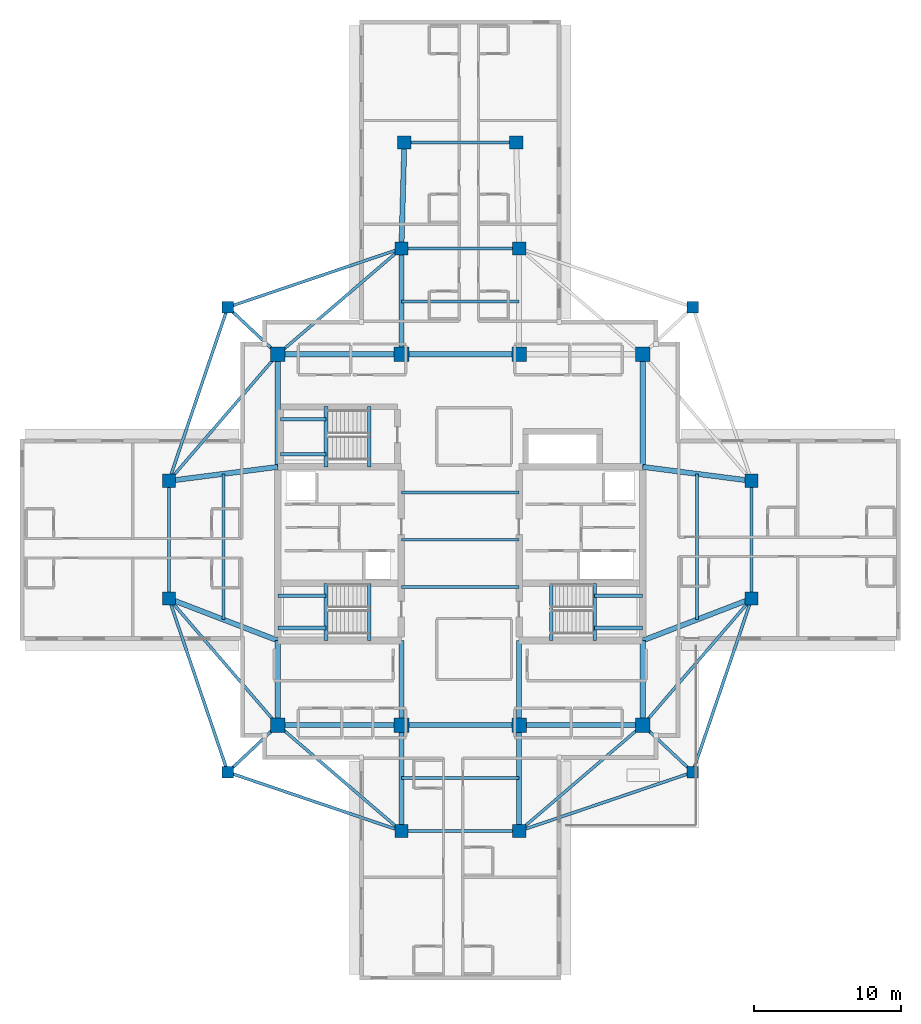
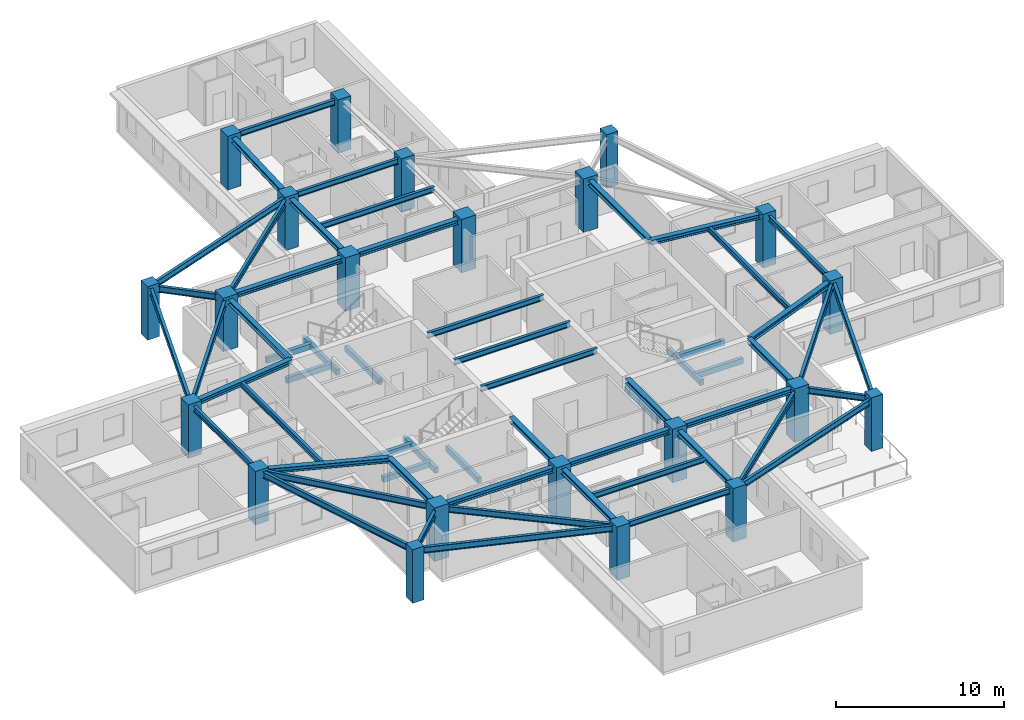
# One storey, part 1 of 13: 58 beams, 22 columns.
"""IFC4 building model written with IfcOpenShell, lengths in metres."""

import ifcopenshell
import ifcopenshell.guid

model = None  # the IFC model being written
_history = None  # IfcOwnerHistory: only IFC2X3 demands one
_inside = {}  # id of a spatial element -> (the spatial element, [elements in it])
_under = {}  # id of a project, library or spatial element -> (it, [spatial elements below it])
_declared = {}  # id of a project -> (the project, [libraries it declares])
_typed = {}  # id of a type object -> (the type object, [elements of that type])
_made_of = {}  # id of a material, layer set ... -> (it, [elements and type objects made of it])


def new_model(schema):
    """Start an empty IFC model of exactly this schema.

    Asked for "IFC4X3", IfcOpenShell would pick the latest addendum, in which some entities
    have other attributes; the version numbers below select the first issue.
    IFC2X3 requires an IfcOwnerHistory on every rooted entity: one is made here for all.
    """
    global model, _history
    if schema == "IFC4X3":
        model = ifcopenshell.file(schema_version=(4, 3, 0, 0))
    else:
        model = ifcopenshell.file(schema=schema)
    _inside.clear()
    _under.clear()
    _declared.clear()
    _typed.clear()
    _made_of.clear()
    _history = None
    if model.schema == "IFC2X3":
        org = make("IfcOrganization", Name="unknown")
        user = make(
            "IfcPersonAndOrganization",
            ThePerson=make("IfcPerson", FamilyName="unknown"),
            TheOrganization=org,
        )
        app = make(
            "IfcApplication",
            ApplicationDeveloper=org,
            Version="unknown",
            ApplicationFullName="unknown",
            ApplicationIdentifier="unknown",
        )
        _history = make(
            "IfcOwnerHistory",
            OwningUser=user,
            OwningApplication=app,
            ChangeAction="ADDED",
            CreationDate=0,
        )
    return model


def make(cls, **values):
    """One entity of the class cls with the attributes given. An attribute that is None is left unset."""
    return model.create_entity(
        cls, **{name: value for name, value in values.items() if value is not None}
    )


def rooted(cls, **values):
    """An entity with a GlobalId (a new one), such as an element, a storey or a relation."""
    return make(cls, GlobalId=ifcopenshell.guid.new(), OwnerHistory=_history, **values)


def si_unit(unit_type, name, prefix=None):
    """IfcSIUnit, for example si_unit("LENGTHUNIT", "METRE", prefix="MILLI")."""
    return make("IfcSIUnit", UnitType=unit_type, Prefix=prefix, Name=name)


def assignment(units):
    """IfcUnitAssignment: the units of a project."""
    return None if units is None else make("IfcUnitAssignment", Units=units)


def point(xyz):
    """IfcCartesianPoint."""
    return None if xyz is None else make("IfcCartesianPoint", Coordinates=xyz)


def direction(xyz):
    """IfcDirection."""
    return None if xyz is None else make("IfcDirection", DirectionRatios=xyz)


def frame(location, z_axis=None, x_axis=None):
    """IfcAxis2Placement3D, a coordinate frame: its origin and axes. An axis left out is left unset."""
    return make(
        "IfcAxis2Placement3D",
        Location=point(location),
        Axis=direction(z_axis),
        RefDirection=direction(x_axis),
    )


def frame_2d(location, x_axis=None):
    """IfcAxis2Placement2D, a coordinate frame in the plane: its origin and x axis."""
    return make(
        "IfcAxis2Placement2D", Location=point(location), RefDirection=direction(x_axis)
    )


def origin():
    """The frame at (0, 0, 0) with its axes left unset."""
    return frame((0.0, 0.0, 0.0))


def origin_2d():
    """The frame at (0, 0) in the plane with its x axis left unset."""
    return frame_2d((0.0, 0.0))


def place(relative_to, where):
    """IfcLocalPlacement: puts the frame where relative to a parent placement (None: the world)."""
    return make(
        "IfcLocalPlacement", PlacementRelTo=relative_to, RelativePlacement=where
    )


def context(
    kind, dimensions, precision=None, world=None, true_north=None, identifier=None
):
    """IfcGeometricRepresentationContext, for example the 3D "Model" context."""
    return make(
        "IfcGeometricRepresentationContext",
        ContextIdentifier=identifier,
        ContextType=kind,
        CoordinateSpaceDimension=dimensions,
        Precision=precision,
        WorldCoordinateSystem=world,
        TrueNorth=true_north,
    )


def subcontext(parent, identifier, kind, view, scale=None):
    """IfcGeometricRepresentationSubContext, for example "Body" below "Model"."""
    return make(
        "IfcGeometricRepresentationSubContext",
        ContextIdentifier=identifier,
        ContextType=kind,
        ParentContext=parent,
        TargetScale=scale,
        TargetView=view,
    )


def project(units=None, contexts=None):
    """IfcProject with its units and contexts."""
    return rooted(
        "IfcProject",
        Name="project",
        RepresentationContexts=contexts,
        UnitsInContext=assignment(units),
    )


def spatial(cls, under=None, at=None, **own):
    """A site, building, storey or space (cls), placed at a placement, below another one or the project."""
    s = rooted(cls, ObjectPlacement=at, **own)
    if under is not None:
        _under.setdefault(under.id(), (under, []))[1].append(s)
    return s


def profile(cls, at=None, kind="AREA", **sizes):
    """A parametric profile (cls). Its sizes go by their IFC names, for example OverallWidth=200.0."""
    return make(cls, ProfileType=kind, Position=at, **sizes)


def rectangle(**sizes):
    """IfcRectangleProfileDef."""
    return profile("IfcRectangleProfileDef", **sizes)


def i_section(**sizes):
    """IfcIShapeProfileDef."""
    return profile("IfcIShapeProfileDef", **sizes)


def extrude(swept, where, along, depth):
    """IfcExtrudedAreaSolid: the profile swept, set in the frame where, extruded along a direction by depth."""
    return make(
        "IfcExtrudedAreaSolid",
        SweptArea=swept,
        Position=where,
        ExtrudedDirection=direction(along),
        Depth=depth,
    )


def shape(context_of_items, identifier, shape_type, items):
    """IfcShapeRepresentation: the items that make up one representation, for example the "Body"."""
    return make(
        "IfcShapeRepresentation",
        ContextOfItems=context_of_items,
        RepresentationIdentifier=identifier,
        RepresentationType=shape_type,
        Items=items,
    )


def material(Name=None, Category=None):
    """IfcMaterial."""
    return make("IfcMaterial", Name=Name, Category=Category)


def material_profile(
    of_material, cross_section, Name=None, Category=None, Priority=None
):
    """IfcMaterialProfile: a cross section and its material."""
    return make(
        "IfcMaterialProfile",
        Name=Name,
        Material=of_material,
        Profile=cross_section,
        Priority=Priority,
        Category=Category,
    )


def profile_set(profiles, Name=None, composite=None):
    """IfcMaterialProfileSet."""
    return make(
        "IfcMaterialProfileSet",
        Name=Name,
        MaterialProfiles=profiles,
        CompositeProfile=composite,
    )


def made_of(thing, what):
    """Note that an element or type object is made of a material, layer set ...; save() writes the relation."""
    if what is not None:
        _made_of.setdefault(what.id(), (what, []))[1].append(thing)
    return thing


def type_object(cls, material=None, **own):
    """A type object (cls), such as IfcWallType, which elements share."""
    return made_of(rooted(cls, **own), material)


def element(
    cls,
    number,
    at=None,
    inside=None,
    cuts=None,
    type_object=None,
    material=None,
    context=None,
    identifier="Body",
    shape_type=None,
    held_by="IfcProductDefinitionShape",
    body=None,
    shapes=None,
    **own,
):
    """One element of the class cls, such as IfcWall. Its Tag is "e" and its number.

    at: its placement. inside: the storey or other place that contains it. cuts: it is an
    opening in that element (IfcRelVoidsElement). A single representation is given by context,
    identifier, shape_type and body (its items); several are given by shapes. held_by: the class
    of the entity that holds the representations. save() writes the other relations.
    """
    e = rooted(cls, Tag="e%d" % number, ObjectPlacement=at, **own)
    if body is not None:
        shapes = [shape(context, identifier, shape_type, body)]
    if shapes is not None:
        e.Representation = make(held_by, Representations=shapes)
    if inside is not None:
        _inside.setdefault(inside.id(), (inside, []))[1].append(e)
    if cuts is not None:
        rooted(
            "IfcRelVoidsElement", RelatingBuildingElement=cuts, RelatedOpeningElement=e
        )
    if type_object is not None:
        _typed.setdefault(type_object.id(), (type_object, []))[1].append(e)
    return made_of(e, material)


def aggregate(whole, parts):
    """IfcRelAggregates: a whole, such as a stair, and the parts it consists of."""
    return rooted("IfcRelAggregates", RelatingObject=whole, RelatedObjects=parts)


def save(model, path):
    """Write the relations noted so far, then the file.

    IfcRelAggregates (storeys below a building ...), IfcRelContainedInSpatialStructure (elements
    in a storey), IfcRelDefinesByType, IfcRelAssociatesMaterial and IfcRelDeclares: one each for
    every whole, place, type object, material and project.
    """
    for whole, parts in _under.values():
        aggregate(whole, parts)
    for where, things in _inside.values():
        rooted(
            "IfcRelContainedInSpatialStructure",
            RelatedElements=things,
            RelatingStructure=where,
        )
    for kind, things in _typed.values():
        rooted("IfcRelDefinesByType", RelatedObjects=things, RelatingType=kind)
    for what, things in _made_of.values():
        rooted("IfcRelAssociatesMaterial", RelatedObjects=things, RelatingMaterial=what)
    for by, libraries in _declared.values():
        rooted("IfcRelDeclares", RelatingContext=by, RelatedDefinitions=libraries)
    model.write(path)


model = new_model("IFC4")

# Units and contexts
model_context = context("Model", 3, precision=1e-05, world=origin(), true_north=direction((0.0, 1.0)))
body_context = subcontext(model_context, "Body", "Model", "MODEL_VIEW")
ifc_project = project(units=[si_unit("LENGTHUNIT", "METRE"), si_unit("AREAUNIT", "SQUARE_METRE"), si_unit("VOLUMEUNIT", "CUBIC_METRE"), si_unit("PLANEANGLEUNIT", "RADIAN"), si_unit("MASSUNIT", "GRAM", prefix="KILO")], contexts=[model_context])

# Site, building, storey
site_placement = place(None, origin())
site = spatial("IfcSite", under=ifc_project, at=site_placement, CompositionType="ELEMENT")
building_placement = place(site_placement, origin())
building = spatial("IfcBuilding", under=site, at=building_placement, Name="Qingluan Cross Belvedere", CompositionType="ELEMENT")
storey_placement = place(building_placement, frame((0.0, 0.0, 224.699951171875)))
storey = spatial("IfcBuildingStorey", under=building, at=storey_placement, Name="L56", CompositionType="ELEMENT", Elevation=224.699951171875)

# Columns
ifc_material_1 = material(Name="Concrete C50", Category="concrete")
ifc_material_profile_1 = material_profile(ifc_material_1, rectangle(XDim=1.0, YDim=1.0, at=origin_2d()), Name="RC1000x1000")
ifc_profile_set_1 = profile_set([ifc_material_profile_1], Name="Concrete C50")
column_type_1 = type_object("IfcColumnType", Name="Column_RC1000x1000", PredefinedType="COLUMN", material=ifc_profile_set_1)
for number, where, z_axis, x_axis, name in (
    (1, (-12.39990234375, -12.60009765625, 0.0), (0.0, 0.0, 1.0), (1.0, 0.0, 0.0), "Hub column L56-HC1"),
    (2, (12.39990234375, -12.60009765625, 0.0), (0.0, 0.0, 1.0), (1.0, 0.0, 0.0), "Hub column L56-HC2"),
    (3, (12.39990234375, 12.60009765625, 0.0), (0.0, 0.0, 1.0), (1.0, 0.0, 0.0), "Hub column L56-HC3"),
    (4, (-12.39990234375, 12.60009765625, 0.0), (0.0, 0.0, 1.0), (1.0, 0.0, 0.0), "Hub column L56-HC4"),
    (5, (-4.0, -12.60009765625, 0.0), (0.0, 0.0, 1.0), (1.0, 0.0, 0.0), "Hub column L56-HC5"),
    (6, (4.0, -12.60009765625, 0.0), (0.0, 0.0, 1.0), (1.0, 0.0, 0.0), "Hub column L56-HC6"),
    (7, (4.0, 12.60009765625, 0.0), (0.0, 0.0, 1.0), (1.0, 0.0, 0.0), "Hub column L56-HC7"),
    (8, (-4.0, 12.60009765625, 0.0), (0.0, 0.0, 1.0), (1.0, 0.0, 0.0), "Hub column L56-HC8"),
):
    element("IfcColumn", number, at=place(storey_placement, frame(where, z_axis=z_axis, x_axis=x_axis)), inside=storey, type_object=column_type_1, Name=name, PredefinedType="COLUMN", context=body_context, shape_type="SweptSolid", body=[
        extrude(rectangle(XDim=1.0, YDim=1.0, at=origin_2d()), origin(), (0.0, 0.0, 1.0), 3.900146484375),
    ])
ifc_material_2 = material(Name="Concrete C50", Category="concrete")
ifc_material_profile_2 = material_profile(ifc_material_2, rectangle(XDim=0.800048828125, YDim=0.800048828125, at=origin_2d()), Name="RC800x800")
ifc_profile_set_2 = profile_set([ifc_material_profile_2], Name="Concrete C50")
column_type_2 = type_object("IfcColumnType", Name="Column_RC800x800", PredefinedType="COLUMN", material=ifc_profile_set_2)
for number, where, z_axis, x_axis, name in (
    (9, (15.800048828125, 15.800048828125, 0.0), (0.0, 0.0, 1.0), (1.0, 0.0, 0.0), "Corner column L56-RNE"),
    (10, (-15.800048828125, 15.800048828125, 0.0), (0.0, 0.0, 1.0), (1.0, 0.0, 0.0), "Corner column L56-RNW"),
    (11, (-15.800048828125, -15.800048828125, 0.0), (0.0, 0.0, 1.0), (1.0, 0.0, 0.0), "Corner column L56-RSW"),
    (12, (15.800048828125, -15.800048828125, 0.0), (0.0, 0.0, 1.0), (1.0, 0.0, 0.0), "Corner column L56-RSE"),
):
    element("IfcColumn", number, at=place(storey_placement, frame(where, z_axis=z_axis, x_axis=x_axis)), inside=storey, type_object=column_type_2, Name=name, PredefinedType="COLUMN", context=body_context, shape_type="SweptSolid", body=[
        extrude(rectangle(XDim=0.800048828125, YDim=0.800048828125, at=origin_2d()), origin(), (0.0, 0.0, 1.0), 3.900146484375),
    ])
ifc_material_3 = material(Name="Concrete C50", Category="concrete")
ifc_material_profile_3 = material_profile(ifc_material_3, rectangle(XDim=0.89990234375, YDim=0.89990234375, at=origin_2d()), Name="RC900x900")
ifc_profile_set_3 = profile_set([ifc_material_profile_3], Name="Concrete C50")
column_type_3 = type_object("IfcColumnType", Name="Column_RC900x900", PredefinedType="COLUMN", material=ifc_profile_set_3)
for number, where, z_axis, x_axis, name in (
    (13, (19.800048828125, -4.0, 0.0), (0.0, 0.0, 1.0), (1.0, 0.0, 0.0), "Arm column L56-EIA"),
    (14, (19.800048828125, 4.0, 0.0), (0.0, 0.0, 1.0), (1.0, 0.0, 0.0), "Arm column L56-EIB"),
    (15, (-19.800048828125, -4.0, 0.0), (0.0, 0.0, 1.0), (1.0, 0.0, 0.0), "Arm column L56-WIA"),
    (16, (-19.800048828125, 4.0, 0.0), (0.0, 0.0, 1.0), (1.0, 0.0, 0.0), "Arm column L56-WIB"),
    (17, (-4.0, -19.800048828125, 0.0), (0.0, 0.0, 1.0), (1.0, 0.0, 0.0), "Arm column L56-SIA"),
    (18, (4.0, -19.800048828125, 0.0), (0.0, 0.0, 1.0), (1.0, 0.0, 0.0), "Arm column L56-SIB"),
    (19, (-4.0, 19.800048828125, 0.0), (0.0, 0.0, 1.0), (1.0, 0.0, 0.0), "Arm column L56-NIA"),
    (20, (4.0, 19.800048828125, 0.0), (0.0, 0.0, 1.0), (1.0, 0.0, 0.0), "Arm column L56-NIB"),
    (21, (-3.800048828125, 27.0, 0.0), (0.0, 0.0, 1.0), (1.0, 0.0, 0.0), "Arm column L56-NOA"),
    (22, (3.800048828125, 27.0, 0.0), (0.0, 0.0, 1.0), (1.0, 0.0, 0.0), "Arm column L56-NOB"),
):
    element("IfcColumn", number, at=place(storey_placement, frame(where, z_axis=z_axis, x_axis=x_axis)), inside=storey, type_object=column_type_3, Name=name, PredefinedType="COLUMN", context=body_context, shape_type="SweptSolid", body=[
        extrude(rectangle(XDim=0.89990234375, YDim=0.89990234375, at=origin_2d()), origin(), (0.0, 0.0, 1.0), 3.900146484375),
    ])

# Beams
ifc_material_4 = material(Name="Concrete C45", Category="concrete")
ifc_material_profile_4 = material_profile(ifc_material_4, rectangle(XDim=0.25, YDim=0.39990234375, at=origin_2d()), Name="RC250x400")
ifc_profile_set_4 = profile_set([ifc_material_profile_4], Name="Concrete C45")
beam_type_1 = type_object("IfcBeamType", Name="RC_Lintel_RC250x400", PredefinedType="LINTEL", material=ifc_profile_set_4)
for number, where, z_axis, x_axis, name in (
    (23, (-6.179931640625, -6.85009765625, -0.199951171875), (0.0, 1.0, 0.0), (-1.0, 0.0, 0.0), "Stair ST1 landing beam L56"),
    (24, (6.179931640625, -6.85009765625, -0.199951171875), (0.0, 1.0, 0.0), (-1.0, 0.0, 0.0), "Stair ST2 landing beam L56"),
):
    element("IfcBeam", number, at=place(storey_placement, frame(where, z_axis=z_axis, x_axis=x_axis)), inside=storey, type_object=beam_type_1, Name=name, PredefinedType="LINTEL", context=body_context, shape_type="SweptSolid", body=[
        extrude(rectangle(XDim=0.25, YDim=0.39990234375, at=origin_2d()), origin(), (0.0, 0.0, 1.0), 3.89013671875),
    ])
beam_1_placement = place(storey_placement, frame((-6.179931640625, 4.949951171875, -0.199951171875), z_axis=(0.0, 1.0, 0.0), x_axis=(-1.0, 0.0, 0.0)))
element("IfcBeam", 25, at=beam_1_placement, inside=storey, type_object=beam_type_1, Name="Stair ST3 landing beam L56", PredefinedType="LINTEL", context=body_context, shape_type="SweptSolid", body=[
    extrude(rectangle(XDim=0.25, YDim=0.39990234375, at=origin_2d()), origin(), (0.0, 0.0, 1.0), 4.090087890625),
])
beam_2_placement = place(storey_placement, frame((-9.1298828125, -6.85009765625, 1.550048828125), z_axis=(0.0, 1.0, 0.0), x_axis=(-1.0, 0.0, 0.0)))
element("IfcBeam", 26, at=beam_2_placement, inside=storey, type_object=beam_type_1, Name="Stair ST1 beam A L56", PredefinedType="LINTEL", context=body_context, shape_type="SweptSolid", body=[
    extrude(rectangle(XDim=0.25, YDim=0.39990234375, at=origin_2d()), origin(), (0.0, 0.0, 1.0), 3.89013671875),
])
for number, where, z_axis, x_axis, name in (
    (27, (-12.39990234375, -6.0, 1.550048828125), (1.0, 0.0, 0.0), (0.0, 1.0, 0.0), "Stair ST1 beam B L56"),
    (28, (-12.39990234375, -3.81005859375, 1.550048828125), (1.0, 0.0, 0.0), (0.0, 1.0, 0.0), "Stair ST1 beam C L56"),
):
    element("IfcBeam", number, at=place(storey_placement, frame(where, z_axis=z_axis, x_axis=x_axis)), inside=storey, type_object=beam_type_1, Name=name, PredefinedType="LINTEL", context=body_context, shape_type="SweptSolid", body=[
        extrude(rectangle(XDim=0.25, YDim=0.39990234375, at=origin_2d()), origin(), (0.0, 0.0, 1.0), 3.27001953125),
    ])
beam_3_placement = place(storey_placement, frame((9.1298828125, -6.85009765625, 1.550048828125), z_axis=(0.0, 1.0, 0.0), x_axis=(-1.0, 0.0, 0.0)))
element("IfcBeam", 29, at=beam_3_placement, inside=storey, type_object=beam_type_1, Name="Stair ST2 beam A L56", PredefinedType="LINTEL", context=body_context, shape_type="SweptSolid", body=[
    extrude(rectangle(XDim=0.25, YDim=0.39990234375, at=origin_2d()), origin(), (0.0, 0.0, 1.0), 3.89013671875),
])
for number, where, z_axis, x_axis, name in (
    (30, (12.39990234375, -6.0, 1.550048828125), (-1.0, 0.0, 0.0), (0.0, -1.0, 0.0), "Stair ST2 beam B L56"),
    (31, (12.39990234375, -3.81005859375, 1.550048828125), (-1.0, 0.0, 0.0), (0.0, -1.0, 0.0), "Stair ST2 beam C L56"),
):
    element("IfcBeam", number, at=place(storey_placement, frame(where, z_axis=z_axis, x_axis=x_axis)), inside=storey, type_object=beam_type_1, Name=name, PredefinedType="LINTEL", context=body_context, shape_type="SweptSolid", body=[
        extrude(rectangle(XDim=0.25, YDim=0.39990234375, at=origin_2d()), origin(), (0.0, 0.0, 1.0), 3.27001953125),
    ])
beam_4_placement = place(storey_placement, frame((-9.1298828125, 4.949951171875, 1.550048828125), z_axis=(0.0, 1.0, 0.0), x_axis=(-1.0, 0.0, 0.0)))
element("IfcBeam", 32, at=beam_4_placement, inside=storey, type_object=beam_type_1, Name="Stair ST3 beam A L56", PredefinedType="LINTEL", context=body_context, shape_type="SweptSolid", body=[
    extrude(rectangle(XDim=0.25, YDim=0.39990234375, at=origin_2d()), origin(), (0.0, 0.0, 1.0), 4.090087890625),
])
for number, where, z_axis, x_axis, name in (
    (33, (-12.219970703125, 5.800048828125, 1.550048828125), (1.0, 0.0, 0.0), (0.0, 1.0, 0.0), "Stair ST3 beam B L56"),
    (34, (-12.219970703125, 8.18994140625, 1.550048828125), (1.0, 0.0, 0.0), (0.0, 1.0, 0.0), "Stair ST3 beam C L56"),
):
    element("IfcBeam", number, at=place(storey_placement, frame(where, z_axis=z_axis, x_axis=x_axis)), inside=storey, type_object=beam_type_1, Name=name, PredefinedType="LINTEL", context=body_context, shape_type="SweptSolid", body=[
        extrude(rectangle(XDim=0.25, YDim=0.39990234375, at=origin_2d()), origin(), (0.0, 0.0, 1.0), 3.090087890625),
    ])
ifc_material_5 = material(Name="Steel Q420GJB", Category="steel")
ifc_material_profile_5 = material_profile(ifc_material_5, i_section(OverallWidth=0.199951171875, OverallDepth=0.39990234375, WebThickness=0.008056640625, FlangeThickness=0.012939453125, FilletRadius=0.012939453125, at=origin_2d()), Name="HN400x200x8x13")
ifc_profile_set_5 = profile_set([ifc_material_profile_5], Name="Steel Q420GJB")
beam_type_2 = type_object("IfcBeamType", Name="Steel_Beam_HN400x200x8x13", PredefinedType="JOIST", material=ifc_profile_set_5)
for number, where, z_axis, x_axis, name in (
    (35, (-4.0, -3.199951171875, 3.5), (1.0, 0.0, 0.0), (0.0, 1.0, 0.0), "Hall beam L56-CH1"),
    (36, (-4.0, 0.0, 3.5), (1.0, 0.0, 0.0), (0.0, 1.0, 0.0), "Hall beam L56-CH2"),
    (37, (-4.0, 3.199951171875, 3.5), (1.0, 0.0, 0.0), (0.0, 1.0, 0.0), "Hall beam L56-CH3"),
    (38, (19.800048828125, -4.0, 3.5), (0.0, 1.0, 0.0), (-1.0, 0.0, 0.0), "Arm E tie L56"),
):
    element("IfcBeam", number, at=place(storey_placement, frame(where, z_axis=z_axis, x_axis=x_axis)), inside=storey, type_object=beam_type_2, Name=name, PredefinedType="JOIST", context=body_context, shape_type="SweptSolid", body=[
        extrude(i_section(OverallWidth=0.199951171875, OverallDepth=0.39990234375, WebThickness=0.008056640625, FlangeThickness=0.012939453125, FilletRadius=0.012939453125, at=origin_2d()), origin(), (0.0, 0.0, 1.0), 8.0),
    ])
beam_5_placement = place(storey_placement, frame((16.10009765625, -5.425048828125, 3.5), z_axis=(0.0, 1.0, 0.0), x_axis=(-1.0, 0.0, 0.0)))
element("IfcBeam", 39, at=beam_5_placement, inside=storey, type_object=beam_type_2, Name="Arm E beam L56", PredefinedType="JOIST", context=body_context, shape_type="SweptSolid", body=[
    extrude(i_section(OverallWidth=0.199951171875, OverallDepth=0.39990234375, WebThickness=0.008056640625, FlangeThickness=0.012939453125, FilletRadius=0.012939453125, at=origin_2d()), origin(), (0.0, 0.0, 1.0), 9.900146484375),
])
beam_6_placement = place(storey_placement, frame((-19.800048828125, -4.0, 3.5), z_axis=(0.0, 1.0, 0.0), x_axis=(-1.0, 0.0, 0.0)))
element("IfcBeam", 40, at=beam_6_placement, inside=storey, type_object=beam_type_2, Name="Arm W tie L56", PredefinedType="JOIST", context=body_context, shape_type="SweptSolid", body=[
    extrude(i_section(OverallWidth=0.199951171875, OverallDepth=0.39990234375, WebThickness=0.008056640625, FlangeThickness=0.012939453125, FilletRadius=0.012939453125, at=origin_2d()), origin(), (0.0, 0.0, 1.0), 8.0),
])
beam_7_placement = place(storey_placement, frame((-16.10009765625, -5.425048828125, 3.5), z_axis=(0.0, 1.0, 0.0), x_axis=(-1.0, 0.0, 0.0)))
element("IfcBeam", 41, at=beam_7_placement, inside=storey, type_object=beam_type_2, Name="Arm W beam L56", PredefinedType="JOIST", context=body_context, shape_type="SweptSolid", body=[
    extrude(i_section(OverallWidth=0.199951171875, OverallDepth=0.39990234375, WebThickness=0.008056640625, FlangeThickness=0.012939453125, FilletRadius=0.012939453125, at=origin_2d()), origin(), (0.0, 0.0, 1.0), 9.900146484375),
])
for number, where, z_axis, x_axis, name in (
    (42, (-4.0, 19.800048828125, 3.5), (1.0, 0.0, 0.0), (0.0, 1.0, 0.0), "Arm N tie L56"),
    (43, (-4.0, 16.199951171875, 3.5), (1.0, 0.0, 0.0), (0.0, 1.0, 0.0), "Arm N beam L56"),
):
    element("IfcBeam", number, at=place(storey_placement, frame(where, z_axis=z_axis, x_axis=x_axis)), inside=storey, type_object=beam_type_2, Name=name, PredefinedType="JOIST", context=body_context, shape_type="SweptSolid", body=[
        extrude(i_section(OverallWidth=0.199951171875, OverallDepth=0.39990234375, WebThickness=0.008056640625, FlangeThickness=0.012939453125, FilletRadius=0.012939453125, at=origin_2d()), origin(), (0.0, 0.0, 1.0), 8.0),
    ])
beam_8_placement = place(storey_placement, frame((-3.800048828125, 27.0, 3.5), z_axis=(1.0, 0.0, 0.0), x_axis=(0.0, 1.0, 0.0)))
element("IfcBeam", 44, at=beam_8_placement, inside=storey, type_object=beam_type_2, Name="Arm N tip transverse beam L56", PredefinedType="JOIST", context=body_context, shape_type="SweptSolid", body=[
    extrude(i_section(OverallWidth=0.199951171875, OverallDepth=0.39990234375, WebThickness=0.008056640625, FlangeThickness=0.012939453125, FilletRadius=0.012939453125, at=origin_2d()), origin(), (0.0, 0.0, 1.0), 7.60009765625),
])
for number, where, z_axis, x_axis, name in (
    (45, (-4.0, -19.800048828125, 3.5), (1.0, 0.0, 0.0), (0.0, 1.0, 0.0), "Arm S tie L56"),
    (46, (-4.0, -16.199951171875, 3.5), (1.0, 0.0, 0.0), (0.0, 1.0, 0.0), "Arm S beam L56"),
):
    element("IfcBeam", number, at=place(storey_placement, frame(where, z_axis=z_axis, x_axis=x_axis)), inside=storey, type_object=beam_type_2, Name=name, PredefinedType="JOIST", context=body_context, shape_type="SweptSolid", body=[
        extrude(i_section(OverallWidth=0.199951171875, OverallDepth=0.39990234375, WebThickness=0.008056640625, FlangeThickness=0.012939453125, FilletRadius=0.012939453125, at=origin_2d()), origin(), (0.0, 0.0, 1.0), 8.0),
    ])
ifc_material_6 = material(Name="Steel Q420GJB", Category="steel")
ifc_material_profile_6 = material_profile(ifc_material_6, i_section(OverallWidth=0.199951171875, OverallDepth=0.449951171875, WebThickness=0.009033203125, FlangeThickness=0.013916015625, FilletRadius=0.01611328125, at=origin_2d()), Name="HN450x200x9x14")
ifc_profile_set_6 = profile_set([ifc_material_profile_6], Name="Steel Q420GJB")
beam_type_3 = type_object("IfcBeamType", Name="Steel_Beam_HN450x200x9x14", PredefinedType="JOIST", material=ifc_profile_set_6)
beam_9_placement = place(storey_placement, frame((-12.39990234375, 12.60009765625, 3.47509765625), z_axis=(-0.728219948308, 0.685343495546, 0.0), x_axis=(-0.685343495546, -0.728219948308, 0.0)))
element("IfcBeam", 47, at=beam_9_placement, inside=storey, type_object=beam_type_3, Name="Corner beam 1 L56-RNW", PredefinedType="JOIST", context=body_context, shape_type="SweptSolid", body=[
    extrude(i_section(OverallWidth=0.199951171875, OverallDepth=0.449951171875, WebThickness=0.009033203125, FlangeThickness=0.013916015625, FilletRadius=0.01611328125, at=origin_2d()), origin(), (0.0, 0.0, 1.0), 4.669189453125),
])
for number, where, z_axis, x_axis, name in (
    (48, (-15.800048828125, 15.800048828125, 3.47509765625), (0.947066283324, 0.321038089628, 0.0), (-0.321038089628, 0.947066283324, 0.0), "Corner beam 2 L56-RNW"),
    (49, (-15.800048828125, 15.800048828125, 3.47509765625), (-0.321038089628, -0.947066283324, 0.0), (0.947066283324, -0.321038089628, 0.0), "Corner beam 3 L56-RNW"),
):
    element("IfcBeam", number, at=place(storey_placement, frame(where, z_axis=z_axis, x_axis=x_axis)), inside=storey, type_object=beam_type_3, Name=name, PredefinedType="JOIST", context=body_context, shape_type="SweptSolid", body=[
        extrude(i_section(OverallWidth=0.199951171875, OverallDepth=0.449951171875, WebThickness=0.009033203125, FlangeThickness=0.013916015625, FilletRadius=0.01611328125, at=origin_2d()), origin(), (0.0, 0.0, 1.0), 12.45947265625),
    ])
beam_10_placement = place(storey_placement, frame((-12.39990234375, 12.60009765625, 3.47509765625), z_axis=(-0.652245077546, -0.75800815221, 0.0), x_axis=(0.75800815221, -0.652245077546, 0.0)))
element("IfcBeam", 50, at=beam_10_placement, inside=storey, type_object=beam_type_3, Name="Corner beam 4 L56-RNW", PredefinedType="JOIST", context=body_context, shape_type="SweptSolid", body=[
    extrude(i_section(OverallWidth=0.199951171875, OverallDepth=0.449951171875, WebThickness=0.009033203125, FlangeThickness=0.013916015625, FilletRadius=0.01611328125, at=origin_2d()), origin(), (0.0, 0.0, 1.0), 11.345703125),
])
beam_11_placement = place(storey_placement, frame((-12.39990234375, 12.60009765625, 3.47509765625), z_axis=(0.759255044656, 0.650793190779, 0.0), x_axis=(-0.650793190779, 0.759255044656, 0.0)))
element("IfcBeam", 51, at=beam_11_placement, inside=storey, type_object=beam_type_3, Name="Corner beam 5 L56-RNW", PredefinedType="JOIST", context=body_context, shape_type="SweptSolid", body=[
    extrude(i_section(OverallWidth=0.199951171875, OverallDepth=0.449951171875, WebThickness=0.009033203125, FlangeThickness=0.013916015625, FilletRadius=0.01611328125, at=origin_2d()), origin(), (0.0, 0.0, 1.0), 11.063232421875),
])
beam_12_placement = place(storey_placement, frame((-12.39990234375, -12.60009765625, 3.47509765625), z_axis=(-0.728219948308, -0.685343495546, 0.0), x_axis=(0.685343495546, -0.728219948308, 0.0)))
element("IfcBeam", 52, at=beam_12_placement, inside=storey, type_object=beam_type_3, Name="Corner beam 1 L56-RSW", PredefinedType="JOIST", context=body_context, shape_type="SweptSolid", body=[
    extrude(i_section(OverallWidth=0.199951171875, OverallDepth=0.449951171875, WebThickness=0.009033203125, FlangeThickness=0.013916015625, FilletRadius=0.01611328125, at=origin_2d()), origin(), (0.0, 0.0, 1.0), 4.669189453125),
])
for number, where, z_axis, x_axis, name in (
    (53, (-15.800048828125, -15.800048828125, 3.47509765625), (0.947066283324, -0.321038089628, 0.0), (0.321038089628, 0.947066283324, 0.0), "Corner beam 2 L56-RSW"),
    (54, (-15.800048828125, -15.800048828125, 3.47509765625), (-0.321038089628, 0.947066283324, 0.0), (-0.947066283324, -0.321038089628, 0.0), "Corner beam 3 L56-RSW"),
):
    element("IfcBeam", number, at=place(storey_placement, frame(where, z_axis=z_axis, x_axis=x_axis)), inside=storey, type_object=beam_type_3, Name=name, PredefinedType="JOIST", context=body_context, shape_type="SweptSolid", body=[
        extrude(i_section(OverallWidth=0.199951171875, OverallDepth=0.449951171875, WebThickness=0.009033203125, FlangeThickness=0.013916015625, FilletRadius=0.01611328125, at=origin_2d()), origin(), (0.0, 0.0, 1.0), 12.45947265625),
    ])
beam_13_placement = place(storey_placement, frame((-12.39990234375, -12.60009765625, 3.47509765625), z_axis=(-0.652245077546, 0.75800815221, 0.0), x_axis=(-0.75800815221, -0.652245077546, 0.0)))
element("IfcBeam", 55, at=beam_13_placement, inside=storey, type_object=beam_type_3, Name="Corner beam 4 L56-RSW", PredefinedType="JOIST", context=body_context, shape_type="SweptSolid", body=[
    extrude(i_section(OverallWidth=0.199951171875, OverallDepth=0.449951171875, WebThickness=0.009033203125, FlangeThickness=0.013916015625, FilletRadius=0.01611328125, at=origin_2d()), origin(), (0.0, 0.0, 1.0), 11.345703125),
])
beam_14_placement = place(storey_placement, frame((-12.39990234375, -12.60009765625, 3.47509765625), z_axis=(0.759255044656, -0.650793190779, 0.0), x_axis=(0.650793190779, 0.759255044656, 0.0)))
element("IfcBeam", 56, at=beam_14_placement, inside=storey, type_object=beam_type_3, Name="Corner beam 5 L56-RSW", PredefinedType="JOIST", context=body_context, shape_type="SweptSolid", body=[
    extrude(i_section(OverallWidth=0.199951171875, OverallDepth=0.449951171875, WebThickness=0.009033203125, FlangeThickness=0.013916015625, FilletRadius=0.01611328125, at=origin_2d()), origin(), (0.0, 0.0, 1.0), 11.063232421875),
])
beam_15_placement = place(storey_placement, frame((12.39990234375, -12.60009765625, 3.455078125), z_axis=(0.728219948308, -0.685343495546, 0.0), x_axis=(0.685343495546, 0.728219948308, 0.0)))
element("IfcBeam", 57, at=beam_15_placement, inside=storey, type_object=beam_type_3, Name="Corner beam 1 L56-RSE", PredefinedType="JOIST", context=body_context, shape_type="SweptSolid", body=[
    extrude(i_section(OverallWidth=0.199951171875, OverallDepth=0.449951171875, WebThickness=0.009033203125, FlangeThickness=0.013916015625, FilletRadius=0.01611328125, at=origin_2d()), origin(), (0.0, 0.0, 1.0), 4.669189453125),
])
for number, where, z_axis, x_axis, name in (
    (58, (15.800048828125, -15.800048828125, 3.455078125), (-0.947066283324, -0.321038089628, 0.0), (0.321038089628, -0.947066283324, 0.0), "Corner beam 2 L56-RSE"),
    (59, (15.800048828125, -15.800048828125, 3.455078125), (0.321038089628, 0.947066283324, 0.0), (-0.947066283324, 0.321038089628, 0.0), "Corner beam 3 L56-RSE"),
):
    element("IfcBeam", number, at=place(storey_placement, frame(where, z_axis=z_axis, x_axis=x_axis)), inside=storey, type_object=beam_type_3, Name=name, PredefinedType="JOIST", context=body_context, shape_type="SweptSolid", body=[
        extrude(i_section(OverallWidth=0.199951171875, OverallDepth=0.449951171875, WebThickness=0.009033203125, FlangeThickness=0.013916015625, FilletRadius=0.01611328125, at=origin_2d()), origin(), (0.0, 0.0, 1.0), 12.45947265625),
    ])
beam_16_placement = place(storey_placement, frame((12.39990234375, -12.60009765625, 3.455078125), z_axis=(0.652245077546, 0.75800815221, 0.0), x_axis=(-0.75800815221, 0.652245077546, 0.0)))
element("IfcBeam", 60, at=beam_16_placement, inside=storey, type_object=beam_type_3, Name="Corner beam 4 L56-RSE", PredefinedType="JOIST", context=body_context, shape_type="SweptSolid", body=[
    extrude(i_section(OverallWidth=0.199951171875, OverallDepth=0.449951171875, WebThickness=0.009033203125, FlangeThickness=0.013916015625, FilletRadius=0.01611328125, at=origin_2d()), origin(), (0.0, 0.0, 1.0), 11.345703125),
])
beam_17_placement = place(storey_placement, frame((12.39990234375, -12.60009765625, 3.455078125), z_axis=(-0.759255044656, -0.650793190779, 0.0), x_axis=(0.650793190779, -0.759255044656, 0.0)))
element("IfcBeam", 61, at=beam_17_placement, inside=storey, type_object=beam_type_3, Name="Corner beam 5 L56-RSE", PredefinedType="JOIST", context=body_context, shape_type="SweptSolid", body=[
    extrude(i_section(OverallWidth=0.199951171875, OverallDepth=0.449951171875, WebThickness=0.009033203125, FlangeThickness=0.013916015625, FilletRadius=0.01611328125, at=origin_2d()), origin(), (0.0, 0.0, 1.0), 11.063232421875),
])
ifc_material_7 = material(Name="Steel Q420GJB", Category="steel")
ifc_material_profile_7 = material_profile(ifc_material_7, i_section(OverallWidth=0.35009765625, OverallDepth=0.35009765625, WebThickness=0.011962890625, FlangeThickness=0.01904296875, FilletRadius=0.02001953125, at=origin_2d()), Name="HW350x350x12x19")
ifc_profile_set_7 = profile_set([ifc_material_profile_7], Name="Steel Q420GJB")
beam_type_4 = type_object("IfcBeamType", Name="Steel_Girder_HW350x350x12x19", PredefinedType="USERDEFINED", material=ifc_profile_set_7)
beam_18_placement = place(storey_placement, frame((-12.39990234375, -12.60009765625, 3.525146484375), z_axis=(1.0, 0.0, 0.0), x_axis=(0.0, 1.0, 0.0)))
element("IfcBeam", 62, at=beam_18_placement, inside=storey, type_object=beam_type_4, Name="Hub girder L56-HG-S1", ObjectType="GIRDER", PredefinedType="USERDEFINED", context=body_context, shape_type="SweptSolid", body=[
    extrude(i_section(OverallWidth=0.35009765625, OverallDepth=0.35009765625, WebThickness=0.011962890625, FlangeThickness=0.01904296875, FilletRadius=0.02001953125, at=origin_2d()), origin(), (0.0, 0.0, 1.0), 8.39990234375),
])
beam_19_placement = place(storey_placement, frame((-4.0, -12.60009765625, 3.525146484375), z_axis=(1.0, 0.0, 0.0), x_axis=(0.0, 1.0, 0.0)))
element("IfcBeam", 63, at=beam_19_placement, inside=storey, type_object=beam_type_4, Name="Hub girder L56-HG-S2", ObjectType="GIRDER", PredefinedType="USERDEFINED", context=body_context, shape_type="SweptSolid", body=[
    extrude(i_section(OverallWidth=0.35009765625, OverallDepth=0.35009765625, WebThickness=0.011962890625, FlangeThickness=0.01904296875, FilletRadius=0.02001953125, at=origin_2d()), origin(), (0.0, 0.0, 1.0), 8.0),
])
for number, where, z_axis, x_axis, name in (
    (64, (4.0, -12.60009765625, 3.525146484375), (1.0, 0.0, 0.0), (0.0, 1.0, 0.0), "Hub girder L56-HG-S3"),
    (65, (-12.39990234375, 12.60009765625, 3.525146484375), (1.0, 0.0, 0.0), (0.0, 1.0, 0.0), "Hub girder L56-HG-N1"),
):
    element("IfcBeam", number, at=place(storey_placement, frame(where, z_axis=z_axis, x_axis=x_axis)), inside=storey, type_object=beam_type_4, Name=name, ObjectType="GIRDER", PredefinedType="USERDEFINED", context=body_context, shape_type="SweptSolid", body=[
        extrude(i_section(OverallWidth=0.35009765625, OverallDepth=0.35009765625, WebThickness=0.011962890625, FlangeThickness=0.01904296875, FilletRadius=0.02001953125, at=origin_2d()), origin(), (0.0, 0.0, 1.0), 8.39990234375),
    ])
beam_20_placement = place(storey_placement, frame((-4.0, 12.60009765625, 3.525146484375), z_axis=(1.0, 0.0, 0.0), x_axis=(0.0, 1.0, 0.0)))
element("IfcBeam", 66, at=beam_20_placement, inside=storey, type_object=beam_type_4, Name="Hub girder L56-HG-N2", ObjectType="GIRDER", PredefinedType="USERDEFINED", context=body_context, shape_type="SweptSolid", body=[
    extrude(i_section(OverallWidth=0.35009765625, OverallDepth=0.35009765625, WebThickness=0.011962890625, FlangeThickness=0.01904296875, FilletRadius=0.02001953125, at=origin_2d()), origin(), (0.0, 0.0, 1.0), 8.0),
])
beam_21_placement = place(storey_placement, frame((-12.39990234375, -12.60009765625, 3.525146484375), z_axis=(0.0, 1.0, 0.0), x_axis=(-1.0, 0.0, 0.0)))
element("IfcBeam", 67, at=beam_21_placement, inside=storey, type_object=beam_type_4, Name="Hub girder L56-HG-W1", ObjectType="GIRDER", PredefinedType="USERDEFINED", context=body_context, shape_type="SweptSolid", body=[
    extrude(i_section(OverallWidth=0.35009765625, OverallDepth=0.35009765625, WebThickness=0.011962890625, FlangeThickness=0.01904296875, FilletRadius=0.02001953125, at=origin_2d()), origin(), (0.0, 0.0, 1.0), 5.75),
])
beam_22_placement = place(storey_placement, frame((-12.39990234375, 4.949951171875, 3.525146484375), z_axis=(0.0, 1.0, 0.0), x_axis=(-1.0, 0.0, 0.0)))
element("IfcBeam", 68, at=beam_22_placement, inside=storey, type_object=beam_type_4, Name="Hub girder L56-HG-W2", ObjectType="GIRDER", PredefinedType="USERDEFINED", context=body_context, shape_type="SweptSolid", body=[
    extrude(i_section(OverallWidth=0.35009765625, OverallDepth=0.35009765625, WebThickness=0.011962890625, FlangeThickness=0.01904296875, FilletRadius=0.02001953125, at=origin_2d()), origin(), (0.0, 0.0, 1.0), 7.650146484375),
])
beam_23_placement = place(storey_placement, frame((12.39990234375, -12.60009765625, 3.525146484375), z_axis=(0.0, 1.0, 0.0), x_axis=(-1.0, 0.0, 0.0)))
element("IfcBeam", 69, at=beam_23_placement, inside=storey, type_object=beam_type_4, Name="Hub girder L56-HG-E1", ObjectType="GIRDER", PredefinedType="USERDEFINED", context=body_context, shape_type="SweptSolid", body=[
    extrude(i_section(OverallWidth=0.35009765625, OverallDepth=0.35009765625, WebThickness=0.011962890625, FlangeThickness=0.01904296875, FilletRadius=0.02001953125, at=origin_2d()), origin(), (0.0, 0.0, 1.0), 5.75),
])
beam_24_placement = place(storey_placement, frame((12.39990234375, 4.949951171875, 3.525146484375), z_axis=(0.0, 1.0, 0.0), x_axis=(-1.0, 0.0, 0.0)))
element("IfcBeam", 70, at=beam_24_placement, inside=storey, type_object=beam_type_4, Name="Hub girder L56-HG-E2", ObjectType="GIRDER", PredefinedType="USERDEFINED", context=body_context, shape_type="SweptSolid", body=[
    extrude(i_section(OverallWidth=0.35009765625, OverallDepth=0.35009765625, WebThickness=0.011962890625, FlangeThickness=0.01904296875, FilletRadius=0.02001953125, at=origin_2d()), origin(), (0.0, 0.0, 1.0), 7.650146484375),
])
for number, where, z_axis, x_axis, name in (
    (71, (-4.0, -12.60009765625, 3.525146484375), (0.0, 1.0, 0.0), (-1.0, 0.0, 0.0), "Hub girder L56-HG-CW"),
    (72, (4.0, -12.60009765625, 3.525146484375), (0.0, 1.0, 0.0), (-1.0, 0.0, 0.0), "Hub girder L56-HG-CE"),
):
    element("IfcBeam", number, at=place(storey_placement, frame(where, z_axis=z_axis, x_axis=x_axis)), inside=storey, type_object=beam_type_4, Name=name, ObjectType="GIRDER", PredefinedType="USERDEFINED", context=body_context, shape_type="SweptSolid", body=[
        extrude(i_section(OverallWidth=0.35009765625, OverallDepth=0.35009765625, WebThickness=0.011962890625, FlangeThickness=0.01904296875, FilletRadius=0.02001953125, at=origin_2d()), origin(), (0.0, 0.0, 1.0), 5.75),
    ])
beam_25_placement = place(storey_placement, frame((12.39990234375, -6.85009765625, 3.525146484375), z_axis=(0.933181258889, 0.359406090735, 0.0), x_axis=(-0.359406090735, 0.933181258889, 0.0)))
element("IfcBeam", 73, at=beam_25_placement, inside=storey, type_object=beam_type_4, Name="Arm E radial girder A L56", ObjectType="GIRDER", PredefinedType="USERDEFINED", context=body_context, shape_type="SweptSolid", body=[
    extrude(i_section(OverallWidth=0.35009765625, OverallDepth=0.35009765625, WebThickness=0.011962890625, FlangeThickness=0.01904296875, FilletRadius=0.02001953125, at=origin_2d()), origin(), (0.0, 0.0, 1.0), 7.929931640625),
])
beam_26_placement = place(storey_placement, frame((12.39990234375, 4.949951171875, 3.525146484375), z_axis=(0.991861120628, -0.12732445714, 0.0), x_axis=(0.12732445714, 0.991861120628, 0.0)))
element("IfcBeam", 74, at=beam_26_placement, inside=storey, type_object=beam_type_4, Name="Arm E radial girder B L56", ObjectType="GIRDER", PredefinedType="USERDEFINED", context=body_context, shape_type="SweptSolid", body=[
    extrude(i_section(OverallWidth=0.35009765625, OverallDepth=0.35009765625, WebThickness=0.011962890625, FlangeThickness=0.01904296875, FilletRadius=0.02001953125, at=origin_2d()), origin(), (0.0, 0.0, 1.0), 7.4609375),
])
beam_27_placement = place(storey_placement, frame((-12.39990234375, -6.85009765625, 3.525146484375), z_axis=(-0.933181258889, 0.359406090735, 0.0), x_axis=(-0.359406090735, -0.933181258889, 0.0)))
element("IfcBeam", 75, at=beam_27_placement, inside=storey, type_object=beam_type_4, Name="Arm W radial girder A L56", ObjectType="GIRDER", PredefinedType="USERDEFINED", context=body_context, shape_type="SweptSolid", body=[
    extrude(i_section(OverallWidth=0.35009765625, OverallDepth=0.35009765625, WebThickness=0.011962890625, FlangeThickness=0.01904296875, FilletRadius=0.02001953125, at=origin_2d()), origin(), (0.0, 0.0, 1.0), 7.929931640625),
])
beam_28_placement = place(storey_placement, frame((-12.39990234375, 4.949951171875, 3.525146484375), z_axis=(-0.991861120628, -0.12732445714, 0.0), x_axis=(0.12732445714, -0.991861120628, 0.0)))
element("IfcBeam", 76, at=beam_28_placement, inside=storey, type_object=beam_type_4, Name="Arm W radial girder B L56", ObjectType="GIRDER", PredefinedType="USERDEFINED", context=body_context, shape_type="SweptSolid", body=[
    extrude(i_section(OverallWidth=0.35009765625, OverallDepth=0.35009765625, WebThickness=0.011962890625, FlangeThickness=0.01904296875, FilletRadius=0.02001953125, at=origin_2d()), origin(), (0.0, 0.0, 1.0), 7.4609375),
])
beam_29_placement = place(storey_placement, frame((-4.0, 12.60009765625, 3.525146484375), z_axis=(0.0, 1.0, 0.0), x_axis=(-1.0, 0.0, 0.0)))
element("IfcBeam", 77, at=beam_29_placement, inside=storey, type_object=beam_type_4, Name="Arm N radial girder A L56", ObjectType="GIRDER", PredefinedType="USERDEFINED", context=body_context, shape_type="SweptSolid", body=[
    extrude(i_section(OverallWidth=0.35009765625, OverallDepth=0.35009765625, WebThickness=0.011962890625, FlangeThickness=0.01904296875, FilletRadius=0.02001953125, at=origin_2d()), origin(), (0.0, 0.0, 1.0), 7.199951171875),
])
beam_30_placement = place(storey_placement, frame((-4.0, 19.800048828125, 3.525146484375), z_axis=(0.027760481514, 0.999614603568, 0.0), x_axis=(-0.999614603568, 0.027760481514, 0.0)))
element("IfcBeam", 78, at=beam_30_placement, inside=storey, type_object=beam_type_4, Name="Arm N outer radial girder A L56", ObjectType="GIRDER", PredefinedType="USERDEFINED", context=body_context, shape_type="SweptSolid", body=[
    extrude(i_section(OverallWidth=0.35009765625, OverallDepth=0.35009765625, WebThickness=0.011962890625, FlangeThickness=0.01904296875, FilletRadius=0.02001953125, at=origin_2d()), origin(), (0.0, 0.0, 1.0), 7.20263671875),
])
for number, where, z_axis, x_axis, name in (
    (79, (-4.0, -12.60009765625, 3.525146484375), (0.0, -1.0, 0.0), (1.0, 0.0, 0.0), "Arm S radial girder A L56"),
    (80, (4.0, -12.60009765625, 3.525146484375), (0.0, -1.0, 0.0), (1.0, 0.0, 0.0), "Arm S radial girder B L56"),
):
    element("IfcBeam", number, at=place(storey_placement, frame(where, z_axis=z_axis, x_axis=x_axis)), inside=storey, type_object=beam_type_4, Name=name, ObjectType="GIRDER", PredefinedType="USERDEFINED", context=body_context, shape_type="SweptSolid", body=[
        extrude(i_section(OverallWidth=0.35009765625, OverallDepth=0.35009765625, WebThickness=0.011962890625, FlangeThickness=0.01904296875, FilletRadius=0.02001953125, at=origin_2d()), origin(), (0.0, 0.0, 1.0), 7.199951171875),
    ])

save(model, "model.ifc")
